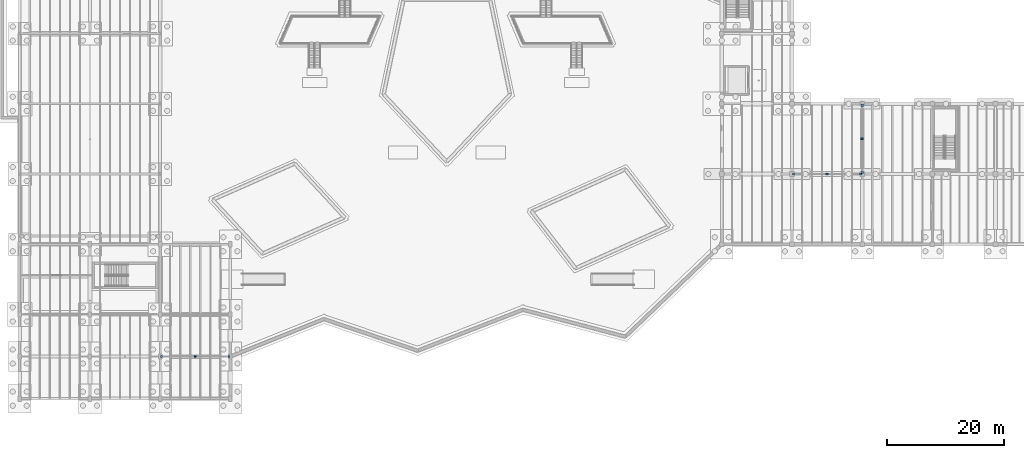
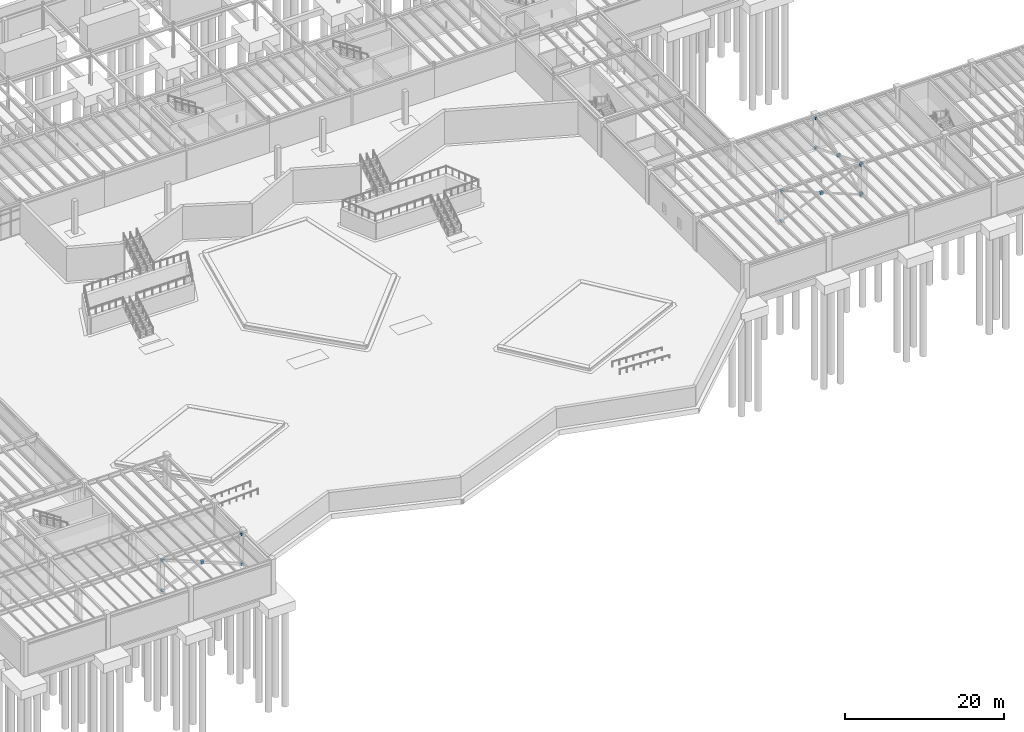
# One storey, part 31 of 67: 15 plates.
"""IFC4 building model written with IfcOpenShell, lengths in metres."""

from ifc_helpers import new_model, si_unit, direction, frame, origin, origin_2d, place, context, subcontext, project, spatial, rectangle, extrude, material, layer, layer_set, type_object, element, save


model = new_model("IFC4")

# Units and contexts
model_context = context("Model", 3, precision=1e-05, world=origin(), true_north=direction((0.0, 1.0)))
body_context = subcontext(model_context, "Body", "Model", "MODEL_VIEW")
ifc_project = project(units=[si_unit("LENGTHUNIT", "METRE"), si_unit("AREAUNIT", "SQUARE_METRE"), si_unit("VOLUMEUNIT", "CUBIC_METRE"), si_unit("PLANEANGLEUNIT", "RADIAN"), si_unit("MASSUNIT", "GRAM", prefix="KILO")], contexts=[model_context])

# Site, building, storey
site_placement = place(None, origin())
site = spatial("IfcSite", under=ifc_project, at=site_placement, CompositionType="ELEMENT")
building_placement = place(site_placement, origin())
building = spatial("IfcBuilding", under=site, at=building_placement, Name="Zlatogorsky Bluff Art Gallery", CompositionType="ELEMENT")
storey_placement = place(building_placement, frame((0.0, 0.0, -5.39990234375)))
storey = spatial("IfcBuildingStorey", under=building, at=storey_placement, Name="B1", CompositionType="ELEMENT", Elevation=-5.39990234375)

# Plates
ifc_material = material(Name="Steel S355", Category="steel")
ifc_layer_1 = layer(ifc_material, 0.320068359375)
ifc_layer_set_1 = layer_set([ifc_layer_1], Name="Node Plate CP-02")
plate_type_1 = type_object("IfcPlateType", Name="Node Plate CP-02", PredefinedType="USERDEFINED", material=ifc_layer_set_1)
for number, where, z_axis, x_axis, name in (
    (1, (132.25, 38.39990234375, -0.0302734375), (0.0, 0.0, 1.0), (1.0, 0.0, 0.0), "Brace end cap B1.1.A1"),
    (2, (143.75, 38.39990234375, 4.56982421875), (0.0, 0.0, 1.0), (1.0, 0.0, 0.0), "Brace end cap B1.1.B1"),
    (3, (132.25, 38.39990234375, 4.56982421875), (0.0, 0.0, 1.0), (1.0, 0.0, 0.0), "Brace end cap B1.1.A2"),
    (4, (143.75, 38.39990234375, -0.0302734375), (0.0, 0.0, 1.0), (1.0, 0.0, 0.0), "Brace end cap B1.1.B2"),
    (5, (144.0, 38.64990234375, -0.0302734375), (0.0, 0.0, 1.0), (1.0, 0.0, 0.0), "Brace end cap B1.3.A1"),
    (6, (144.0, 50.14990234375, 4.56982421875), (0.0, 0.0, 1.0), (1.0, 0.0, 0.0), "Brace end cap B1.3.B1"),
    (7, (144.0, 38.64990234375, 4.56982421875), (0.0, 0.0, 1.0), (1.0, 0.0, 0.0), "Brace end cap B1.3.A2"),
    (8, (144.0, 50.14990234375, -0.0302734375), (0.0, 0.0, 1.0), (1.0, 0.0, 0.0), "Brace end cap B1.3.B2"),
    (9, (24.25, 7.199951171875, -0.0302734375), (0.0, 0.0, 1.0), (1.0, 0.0, 0.0), "Brace end cap B1.5.A1"),
    (10, (35.75, 7.199951171875, 4.56982421875), (0.0, 0.0, 1.0), (1.0, 0.0, 0.0), "Brace end cap B1.5.B1"),
    (11, (24.25, 7.199951171875, 4.56982421875), (0.0, 0.0, 1.0), (1.0, 0.0, 0.0), "Brace end cap B1.5.A2"),
    (12, (35.75, 7.199951171875, -0.0302734375), (0.0, 0.0, 1.0), (1.0, 0.0, 0.0), "Brace end cap B1.5.B2"),
):
    element("IfcPlate", number, at=place(storey_placement, frame(where, z_axis=z_axis, x_axis=x_axis)), inside=storey, type_object=plate_type_1, Name=name, ObjectType="CAP PLATE", PredefinedType="USERDEFINED", context=body_context, shape_type="SweptSolid", body=[
        extrude(rectangle(XDim=0.360107421875, YDim=0.360107421875, at=origin_2d()), origin(), (0.0, 0.0, 1.0), 0.360107421875),
    ])
ifc_layer_2 = layer(ifc_material, 0.02001953125)
ifc_layer_set_2 = layer_set([ifc_layer_2], Name="Node Plate GP-03")
plate_type_2 = type_object("IfcPlateType", Name="Node Plate GP-03", PredefinedType="USERDEFINED", material=ifc_layer_set_2)
for number, where, z_axis, x_axis, name in (
    (13, (138.0, 38.39990234375, 2.239990234375), (0.0, 0.0, 1.0), (1.0, 0.0, 0.0), "X-brace central gusset plate B1.1"),
    (14, (144.0, 44.39990234375, 2.239990234375), (0.0, 0.0, 1.0), (1.0, 0.0, 0.0), "X-brace central gusset plate B1.3"),
    (15, (30.0, 7.199951171875, 2.239990234375), (0.0, 0.0, 1.0), (1.0, 0.0, 0.0), "X-brace central gusset plate B1.5"),
):
    element("IfcPlate", number, at=place(storey_placement, frame(where, z_axis=z_axis, x_axis=x_axis)), inside=storey, type_object=plate_type_2, Name=name, ObjectType="GUSSET PLATE", PredefinedType="USERDEFINED", context=body_context, shape_type="SweptSolid", body=[
        extrude(rectangle(XDim=0.419921875, YDim=0.320068359375, at=origin_2d()), origin(), (0.0, 0.0, 1.0), 0.419921875),
    ])

save(model, "model.ifc")
